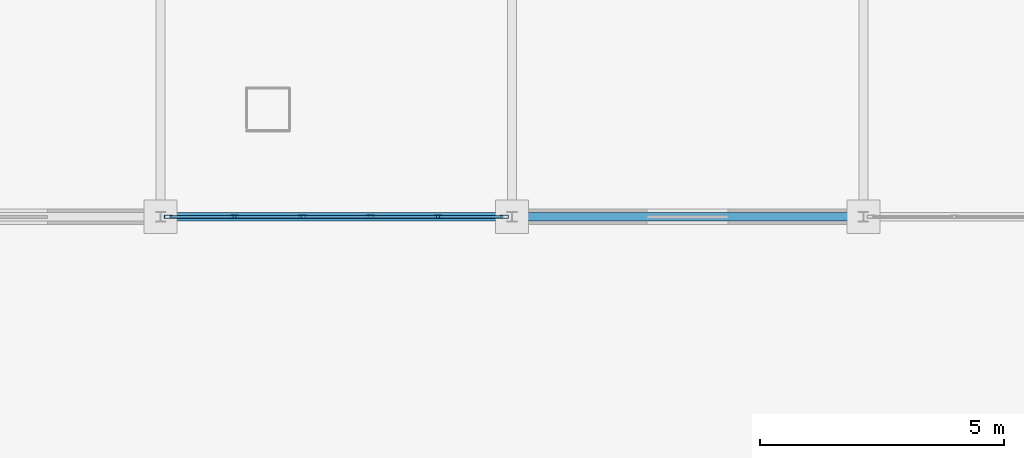
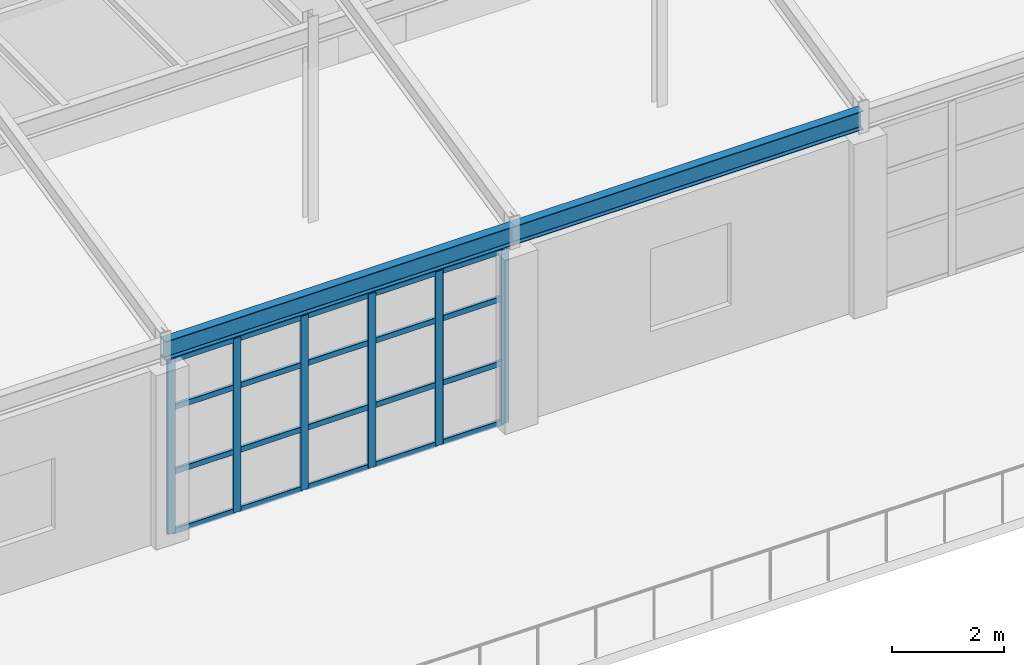
# One storey, part 60 of 101: 26 members, 2 beams, 1 element without a shape of its own.
"""IFC4 building model written with IfcOpenShell, lengths in metres."""

from ifc_helpers import new_model, si_unit, direction, frame, origin, origin_2d, place, context, subcontext, project, spatial, hollow_rectangle, i_section, extrude, material, layer, layer_set, material_profile, profile_set, type_object, element, aggregate, save


model = new_model("IFC4")

# Units and contexts
model_context = context("Model", 3, precision=1e-05, world=origin(), true_north=direction((0.0, 1.0)))
body_context = subcontext(model_context, "Body", "Model", "MODEL_VIEW")
ifc_project = project(units=[si_unit("LENGTHUNIT", "METRE"), si_unit("AREAUNIT", "SQUARE_METRE"), si_unit("VOLUMEUNIT", "CUBIC_METRE"), si_unit("PLANEANGLEUNIT", "RADIAN"), si_unit("MASSUNIT", "GRAM", prefix="KILO")], contexts=[model_context])

# Site, building, storey
site_placement = place(None, origin())
site = spatial("IfcSite", under=ifc_project, at=site_placement, CompositionType="ELEMENT")
building_placement = place(site_placement, origin())
building = spatial("IfcBuilding", under=site, at=building_placement, Name="Kemerveld Promenade Tramway Depot", CompositionType="ELEMENT")
storey_placement = place(building_placement, frame((0.0, 0.0, 9.89990234375)))
storey = spatial("IfcBuildingStorey", under=building, at=storey_placement, Name="L02", CompositionType="ELEMENT", Elevation=9.89990234375)

# Beams
ifc_material_1 = material(Name="Steel S355", Category="steel")
ifc_material_profile_1 = material_profile(ifc_material_1, i_section(OverallWidth=0.1787109375, OverallDepth=0.409423828125, WebThickness=0.0087890625, FlangeThickness=0.014404296875, FilletRadius=0.01025390625, at=origin_2d()), Name="406x178x67 UB")
ifc_profile_set_1 = profile_set([ifc_material_profile_1], Name="Steel S355")
beam_type = type_object("IfcBeamType", Name="BM-G07", PredefinedType="BEAM", material=ifc_profile_set_1)
for number, where, z_axis, x_axis, name in (
    (1, (100.800048828125, 7.199951171875, 4.0703125), (1.0, 0.0, 0.0), (0.0, 1.0, 0.0), "BMX-L02-15-16-B"),
    (2, (108.0, 7.199951171875, 4.0703125), (1.0, 0.0, 0.0), (0.0, 1.0, 0.0), "BMX-L02-16-17-B"),
):
    element("IfcBeam", number, at=place(storey_placement, frame(where, z_axis=z_axis, x_axis=x_axis)), inside=storey, type_object=beam_type, Name=name, PredefinedType="BEAM", context=body_context, shape_type="SweptSolid", body=[
        extrude(i_section(OverallWidth=0.1787109375, OverallDepth=0.409423828125, WebThickness=0.0087890625, FlangeThickness=0.014404296875, FilletRadius=0.01025390625, at=origin_2d()), origin(), (0.0, 0.0, 1.0), 7.199951171875),
    ])

# Curtain wall, members
ifc_material_2 = material(Name="Bronze anodised aluminium and solar glass", Category="aluminium")
ifc_layer = layer(ifc_material_2, 0.159912109375)
ifc_layer_set = layer_set([ifc_layer], Name="CW-SYS-07")
curtain_wall_type = type_object("IfcCurtainWallType", Name="CW-SYS-07", PredefinedType="USERDEFINED", material=ifc_layer_set)
curtain_wall_placement = place(storey_placement, origin())
curtain_wall = element("IfcCurtainWall", 3, at=curtain_wall_placement, inside=storey, type_object=curtain_wall_type, Name="CW-L02-V4S-04", ObjectType="GLAZED_CURTAIN_WALL", PredefinedType="USERDEFINED")
ifc_material_3 = material(Name="Bronze anodised aluminium", Category="aluminium")
ifc_material_profile_2 = material_profile(ifc_material_3, hollow_rectangle(XDim=0.06494140625, YDim=0.159912109375, WallThickness=0.00390625, InnerFilletRadius=0.001953125, OuterFilletRadius=0.00390625, at=origin_2d()), Name="CW-MUL-160x65")
ifc_profile_set_2 = profile_set([ifc_material_profile_2], Name="Bronze anodised aluminium")
member_type_1 = type_object("IfcMemberType", Name="CW-MUL-A", PredefinedType="MULLION", material=ifc_profile_set_2)
member_1_placement = place(storey_placement, frame((107.8427734375, 7.199951171875, 0.0), z_axis=(0.0, 0.0, 1.0), x_axis=(0.0, -1.0, 0.0)))
member_1 = element("IfcMember", 4, at=member_1_placement, type_object=member_type_1, Name="CW07 mullion 1", PredefinedType="MULLION", context=body_context, shape_type="SweptSolid", body=[
    extrude(hollow_rectangle(XDim=0.06494140625, YDim=0.159912109375, WallThickness=0.00390625, InnerFilletRadius=0.001953125, OuterFilletRadius=0.00390625, at=origin_2d()), origin(), (0.0, 0.0, 1.0), 3.800048828125),
])
member_2_placement = place(storey_placement, frame((106.485107421875, 7.199951171875, 0.0), z_axis=(0.0, 0.0, 1.0), x_axis=(0.0, -1.0, 0.0)))
member_2 = element("IfcMember", 5, at=member_2_placement, type_object=member_type_1, Name="CW07 mullion 2", PredefinedType="MULLION", context=body_context, shape_type="SweptSolid", body=[
    extrude(hollow_rectangle(XDim=0.06494140625, YDim=0.159912109375, WallThickness=0.00390625, InnerFilletRadius=0.001953125, OuterFilletRadius=0.00390625, at=origin_2d()), origin(), (0.0, 0.0, 1.0), 3.800048828125),
])
member_3_placement = place(storey_placement, frame((105.094970703125, 7.199951171875, 0.0), z_axis=(0.0, 0.0, 1.0), x_axis=(0.0, -1.0, 0.0)))
member_3 = element("IfcMember", 6, at=member_3_placement, type_object=member_type_1, Name="CW07 mullion 3", PredefinedType="MULLION", context=body_context, shape_type="SweptSolid", body=[
    extrude(hollow_rectangle(XDim=0.06494140625, YDim=0.159912109375, WallThickness=0.00390625, InnerFilletRadius=0.001953125, OuterFilletRadius=0.00390625, at=origin_2d()), origin(), (0.0, 0.0, 1.0), 3.800048828125),
])
member_4_placement = place(storey_placement, frame((103.705078125, 7.199951171875, 0.0), z_axis=(0.0, 0.0, 1.0), x_axis=(0.0, -1.0, 0.0)))
member_4 = element("IfcMember", 7, at=member_4_placement, type_object=member_type_1, Name="CW07 mullion 4", PredefinedType="MULLION", context=body_context, shape_type="SweptSolid", body=[
    extrude(hollow_rectangle(XDim=0.06494140625, YDim=0.159912109375, WallThickness=0.00390625, InnerFilletRadius=0.001953125, OuterFilletRadius=0.00390625, at=origin_2d()), origin(), (0.0, 0.0, 1.0), 3.800048828125),
])
member_5_placement = place(storey_placement, frame((102.31494140625, 7.199951171875, 0.0), z_axis=(0.0, 0.0, 1.0), x_axis=(0.0, -1.0, 0.0)))
member_5 = element("IfcMember", 8, at=member_5_placement, type_object=member_type_1, Name="CW07 mullion 5", PredefinedType="MULLION", context=body_context, shape_type="SweptSolid", body=[
    extrude(hollow_rectangle(XDim=0.06494140625, YDim=0.159912109375, WallThickness=0.00390625, InnerFilletRadius=0.001953125, OuterFilletRadius=0.00390625, at=origin_2d()), origin(), (0.0, 0.0, 1.0), 3.800048828125),
])
member_6_placement = place(storey_placement, frame((100.957275390625, 7.199951171875, 0.0), z_axis=(0.0, 0.0, 1.0), x_axis=(0.0, -1.0, 0.0)))
member_6 = element("IfcMember", 9, at=member_6_placement, type_object=member_type_1, Name="CW07 mullion 6", PredefinedType="MULLION", context=body_context, shape_type="SweptSolid", body=[
    extrude(hollow_rectangle(XDim=0.06494140625, YDim=0.159912109375, WallThickness=0.00390625, InnerFilletRadius=0.001953125, OuterFilletRadius=0.00390625, at=origin_2d()), origin(), (0.0, 0.0, 1.0), 3.800048828125),
])
ifc_material_profile_3 = material_profile(ifc_material_3, hollow_rectangle(XDim=0.06005859375, YDim=0.1201171875, WallThickness=0.00390625, InnerFilletRadius=0.001953125, OuterFilletRadius=0.00390625, at=origin_2d()), Name="CW-TRN-120x60")
ifc_profile_set_3 = profile_set([ifc_material_profile_3], Name="Bronze anodised aluminium")
member_type_2 = type_object("IfcMemberType", Name="CW-TRN-A", PredefinedType="USERDEFINED", material=ifc_profile_set_3)
member_7_placement = place(storey_placement, frame((107.810302734375, 7.199951171875, 0.030029296875), z_axis=(-1.0, 0.0, 0.0), x_axis=(0.0, -1.0, 0.0)))
member_7 = element("IfcMember", 10, at=member_7_placement, type_object=member_type_2, Name="CW07 transom 1.1", ObjectType="TRANSOM", PredefinedType="USERDEFINED", context=body_context, shape_type="SweptSolid", body=[
    extrude(hollow_rectangle(XDim=0.06005859375, YDim=0.1201171875, WallThickness=0.00390625, InnerFilletRadius=0.001953125, OuterFilletRadius=0.00390625, at=origin_2d()), origin(), (0.0, 0.0, 1.0), 1.292724609375),
])
member_8_placement = place(storey_placement, frame((107.810302734375, 7.199951171875, 1.330078125), z_axis=(-1.0, 0.0, 0.0), x_axis=(0.0, -1.0, 0.0)))
member_8 = element("IfcMember", 11, at=member_8_placement, type_object=member_type_2, Name="CW07 transom 1.2", ObjectType="TRANSOM", PredefinedType="USERDEFINED", context=body_context, shape_type="SweptSolid", body=[
    extrude(hollow_rectangle(XDim=0.06005859375, YDim=0.1201171875, WallThickness=0.00390625, InnerFilletRadius=0.001953125, OuterFilletRadius=0.00390625, at=origin_2d()), origin(), (0.0, 0.0, 1.0), 1.292724609375),
])
member_9_placement = place(storey_placement, frame((107.810302734375, 7.199951171875, 2.736083984375), z_axis=(-1.0, 0.0, 0.0), x_axis=(0.0, -1.0, 0.0)))
member_9 = element("IfcMember", 12, at=member_9_placement, type_object=member_type_2, Name="CW07 transom 1.3", ObjectType="TRANSOM", PredefinedType="USERDEFINED", context=body_context, shape_type="SweptSolid", body=[
    extrude(hollow_rectangle(XDim=0.06005859375, YDim=0.1201171875, WallThickness=0.00390625, InnerFilletRadius=0.001953125, OuterFilletRadius=0.00390625, at=origin_2d()), origin(), (0.0, 0.0, 1.0), 1.292724609375),
])
member_10_placement = place(storey_placement, frame((107.810302734375, 7.199951171875, 3.77001953125), z_axis=(-1.0, 0.0, 0.0), x_axis=(0.0, -1.0, 0.0)))
member_10 = element("IfcMember", 13, at=member_10_placement, type_object=member_type_2, Name="CW07 transom 1.4", ObjectType="TRANSOM", PredefinedType="USERDEFINED", context=body_context, shape_type="SweptSolid", body=[
    extrude(hollow_rectangle(XDim=0.06005859375, YDim=0.1201171875, WallThickness=0.00390625, InnerFilletRadius=0.001953125, OuterFilletRadius=0.00390625, at=origin_2d()), origin(), (0.0, 0.0, 1.0), 1.292724609375),
])
member_11_placement = place(storey_placement, frame((106.45263671875, 7.199951171875, 0.030029296875), z_axis=(-1.0, 0.0, 0.0), x_axis=(0.0, -1.0, 0.0)))
member_11 = element("IfcMember", 14, at=member_11_placement, type_object=member_type_2, Name="CW07 transom 2.1", ObjectType="TRANSOM", PredefinedType="USERDEFINED", context=body_context, shape_type="SweptSolid", body=[
    extrude(hollow_rectangle(XDim=0.06005859375, YDim=0.1201171875, WallThickness=0.00390625, InnerFilletRadius=0.001953125, OuterFilletRadius=0.00390625, at=origin_2d()), origin(), (0.0, 0.0, 1.0), 1.3251953125),
])
member_12_placement = place(storey_placement, frame((106.45263671875, 7.199951171875, 1.330078125), z_axis=(-1.0, 0.0, 0.0), x_axis=(0.0, -1.0, 0.0)))
member_12 = element("IfcMember", 15, at=member_12_placement, type_object=member_type_2, Name="CW07 transom 2.2", ObjectType="TRANSOM", PredefinedType="USERDEFINED", context=body_context, shape_type="SweptSolid", body=[
    extrude(hollow_rectangle(XDim=0.06005859375, YDim=0.1201171875, WallThickness=0.00390625, InnerFilletRadius=0.001953125, OuterFilletRadius=0.00390625, at=origin_2d()), origin(), (0.0, 0.0, 1.0), 1.3251953125),
])
member_13_placement = place(storey_placement, frame((106.45263671875, 7.199951171875, 2.736083984375), z_axis=(-1.0, 0.0, 0.0), x_axis=(0.0, -1.0, 0.0)))
member_13 = element("IfcMember", 16, at=member_13_placement, type_object=member_type_2, Name="CW07 transom 2.3", ObjectType="TRANSOM", PredefinedType="USERDEFINED", context=body_context, shape_type="SweptSolid", body=[
    extrude(hollow_rectangle(XDim=0.06005859375, YDim=0.1201171875, WallThickness=0.00390625, InnerFilletRadius=0.001953125, OuterFilletRadius=0.00390625, at=origin_2d()), origin(), (0.0, 0.0, 1.0), 1.3251953125),
])
member_14_placement = place(storey_placement, frame((106.45263671875, 7.199951171875, 3.77001953125), z_axis=(-1.0, 0.0, 0.0), x_axis=(0.0, -1.0, 0.0)))
member_14 = element("IfcMember", 17, at=member_14_placement, type_object=member_type_2, Name="CW07 transom 2.4", ObjectType="TRANSOM", PredefinedType="USERDEFINED", context=body_context, shape_type="SweptSolid", body=[
    extrude(hollow_rectangle(XDim=0.06005859375, YDim=0.1201171875, WallThickness=0.00390625, InnerFilletRadius=0.001953125, OuterFilletRadius=0.00390625, at=origin_2d()), origin(), (0.0, 0.0, 1.0), 1.3251953125),
])
member_15_placement = place(storey_placement, frame((105.0625, 7.199951171875, 0.030029296875), z_axis=(-1.0, 0.0, 0.0), x_axis=(0.0, -1.0, 0.0)))
member_15 = element("IfcMember", 18, at=member_15_placement, type_object=member_type_2, Name="CW07 transom 3.1", ObjectType="TRANSOM", PredefinedType="USERDEFINED", context=body_context, shape_type="SweptSolid", body=[
    extrude(hollow_rectangle(XDim=0.06005859375, YDim=0.1201171875, WallThickness=0.00390625, InnerFilletRadius=0.001953125, OuterFilletRadius=0.00390625, at=origin_2d()), origin(), (0.0, 0.0, 1.0), 1.324951171875),
])
member_16_placement = place(storey_placement, frame((105.0625, 7.199951171875, 1.330078125), z_axis=(-1.0, 0.0, 0.0), x_axis=(0.0, -1.0, 0.0)))
member_16 = element("IfcMember", 19, at=member_16_placement, type_object=member_type_2, Name="CW07 transom 3.2", ObjectType="TRANSOM", PredefinedType="USERDEFINED", context=body_context, shape_type="SweptSolid", body=[
    extrude(hollow_rectangle(XDim=0.06005859375, YDim=0.1201171875, WallThickness=0.00390625, InnerFilletRadius=0.001953125, OuterFilletRadius=0.00390625, at=origin_2d()), origin(), (0.0, 0.0, 1.0), 1.324951171875),
])
member_17_placement = place(storey_placement, frame((105.0625, 7.199951171875, 2.736083984375), z_axis=(-1.0, 0.0, 0.0), x_axis=(0.0, -1.0, 0.0)))
member_17 = element("IfcMember", 20, at=member_17_placement, type_object=member_type_2, Name="CW07 transom 3.3", ObjectType="TRANSOM", PredefinedType="USERDEFINED", context=body_context, shape_type="SweptSolid", body=[
    extrude(hollow_rectangle(XDim=0.06005859375, YDim=0.1201171875, WallThickness=0.00390625, InnerFilletRadius=0.001953125, OuterFilletRadius=0.00390625, at=origin_2d()), origin(), (0.0, 0.0, 1.0), 1.324951171875),
])
member_18_placement = place(storey_placement, frame((105.0625, 7.199951171875, 3.77001953125), z_axis=(-1.0, 0.0, 0.0), x_axis=(0.0, -1.0, 0.0)))
member_18 = element("IfcMember", 21, at=member_18_placement, type_object=member_type_2, Name="CW07 transom 3.4", ObjectType="TRANSOM", PredefinedType="USERDEFINED", context=body_context, shape_type="SweptSolid", body=[
    extrude(hollow_rectangle(XDim=0.06005859375, YDim=0.1201171875, WallThickness=0.00390625, InnerFilletRadius=0.001953125, OuterFilletRadius=0.00390625, at=origin_2d()), origin(), (0.0, 0.0, 1.0), 1.324951171875),
])
member_19_placement = place(storey_placement, frame((103.67236328125, 7.199951171875, 0.030029296875), z_axis=(-1.0, 0.0, 0.0), x_axis=(0.0, -1.0, 0.0)))
member_19 = element("IfcMember", 22, at=member_19_placement, type_object=member_type_2, Name="CW07 transom 4.1", ObjectType="TRANSOM", PredefinedType="USERDEFINED", context=body_context, shape_type="SweptSolid", body=[
    extrude(hollow_rectangle(XDim=0.06005859375, YDim=0.1201171875, WallThickness=0.00390625, InnerFilletRadius=0.001953125, OuterFilletRadius=0.00390625, at=origin_2d()), origin(), (0.0, 0.0, 1.0), 1.324951171875),
])
member_20_placement = place(storey_placement, frame((103.67236328125, 7.199951171875, 1.330078125), z_axis=(-1.0, 0.0, 0.0), x_axis=(0.0, -1.0, 0.0)))
member_20 = element("IfcMember", 23, at=member_20_placement, type_object=member_type_2, Name="CW07 transom 4.2", ObjectType="TRANSOM", PredefinedType="USERDEFINED", context=body_context, shape_type="SweptSolid", body=[
    extrude(hollow_rectangle(XDim=0.06005859375, YDim=0.1201171875, WallThickness=0.00390625, InnerFilletRadius=0.001953125, OuterFilletRadius=0.00390625, at=origin_2d()), origin(), (0.0, 0.0, 1.0), 1.324951171875),
])
member_21_placement = place(storey_placement, frame((103.67236328125, 7.199951171875, 2.736083984375), z_axis=(-1.0, 0.0, 0.0), x_axis=(0.0, -1.0, 0.0)))
member_21 = element("IfcMember", 24, at=member_21_placement, type_object=member_type_2, Name="CW07 transom 4.3", ObjectType="TRANSOM", PredefinedType="USERDEFINED", context=body_context, shape_type="SweptSolid", body=[
    extrude(hollow_rectangle(XDim=0.06005859375, YDim=0.1201171875, WallThickness=0.00390625, InnerFilletRadius=0.001953125, OuterFilletRadius=0.00390625, at=origin_2d()), origin(), (0.0, 0.0, 1.0), 1.324951171875),
])
member_22_placement = place(storey_placement, frame((103.67236328125, 7.199951171875, 3.77001953125), z_axis=(-1.0, 0.0, 0.0), x_axis=(0.0, -1.0, 0.0)))
member_22 = element("IfcMember", 25, at=member_22_placement, type_object=member_type_2, Name="CW07 transom 4.4", ObjectType="TRANSOM", PredefinedType="USERDEFINED", context=body_context, shape_type="SweptSolid", body=[
    extrude(hollow_rectangle(XDim=0.06005859375, YDim=0.1201171875, WallThickness=0.00390625, InnerFilletRadius=0.001953125, OuterFilletRadius=0.00390625, at=origin_2d()), origin(), (0.0, 0.0, 1.0), 1.324951171875),
])
member_23_placement = place(storey_placement, frame((102.282470703125, 7.199951171875, 0.030029296875), z_axis=(-1.0, 0.0, 0.0), x_axis=(0.0, -1.0, 0.0)))
member_23 = element("IfcMember", 26, at=member_23_placement, type_object=member_type_2, Name="CW07 transom 5.1", ObjectType="TRANSOM", PredefinedType="USERDEFINED", context=body_context, shape_type="SweptSolid", body=[
    extrude(hollow_rectangle(XDim=0.06005859375, YDim=0.1201171875, WallThickness=0.00390625, InnerFilletRadius=0.001953125, OuterFilletRadius=0.00390625, at=origin_2d()), origin(), (0.0, 0.0, 1.0), 1.292724609375),
])
member_24_placement = place(storey_placement, frame((102.282470703125, 7.199951171875, 1.330078125), z_axis=(-1.0, 0.0, 0.0), x_axis=(0.0, -1.0, 0.0)))
member_24 = element("IfcMember", 27, at=member_24_placement, type_object=member_type_2, Name="CW07 transom 5.2", ObjectType="TRANSOM", PredefinedType="USERDEFINED", context=body_context, shape_type="SweptSolid", body=[
    extrude(hollow_rectangle(XDim=0.06005859375, YDim=0.1201171875, WallThickness=0.00390625, InnerFilletRadius=0.001953125, OuterFilletRadius=0.00390625, at=origin_2d()), origin(), (0.0, 0.0, 1.0), 1.292724609375),
])
member_25_placement = place(storey_placement, frame((102.282470703125, 7.199951171875, 2.736083984375), z_axis=(-1.0, 0.0, 0.0), x_axis=(0.0, -1.0, 0.0)))
member_25 = element("IfcMember", 28, at=member_25_placement, type_object=member_type_2, Name="CW07 transom 5.3", ObjectType="TRANSOM", PredefinedType="USERDEFINED", context=body_context, shape_type="SweptSolid", body=[
    extrude(hollow_rectangle(XDim=0.06005859375, YDim=0.1201171875, WallThickness=0.00390625, InnerFilletRadius=0.001953125, OuterFilletRadius=0.00390625, at=origin_2d()), origin(), (0.0, 0.0, 1.0), 1.292724609375),
])
member_26_placement = place(storey_placement, frame((102.282470703125, 7.199951171875, 3.77001953125), z_axis=(-1.0, 0.0, 0.0), x_axis=(0.0, -1.0, 0.0)))
member_26 = element("IfcMember", 29, at=member_26_placement, type_object=member_type_2, Name="CW07 transom 5.4", ObjectType="TRANSOM", PredefinedType="USERDEFINED", context=body_context, shape_type="SweptSolid", body=[
    extrude(hollow_rectangle(XDim=0.06005859375, YDim=0.1201171875, WallThickness=0.00390625, InnerFilletRadius=0.001953125, OuterFilletRadius=0.00390625, at=origin_2d()), origin(), (0.0, 0.0, 1.0), 1.292724609375),
])
aggregate(curtain_wall, [member_1, member_2, member_3, member_4, member_5, member_6, member_7, member_8, member_9, member_10, member_11, member_12, member_13, member_14, member_15, member_16, member_17, member_18, member_19, member_20, member_21, member_22, member_23, member_24, member_25, member_26])

save(model, "model.ifc")
